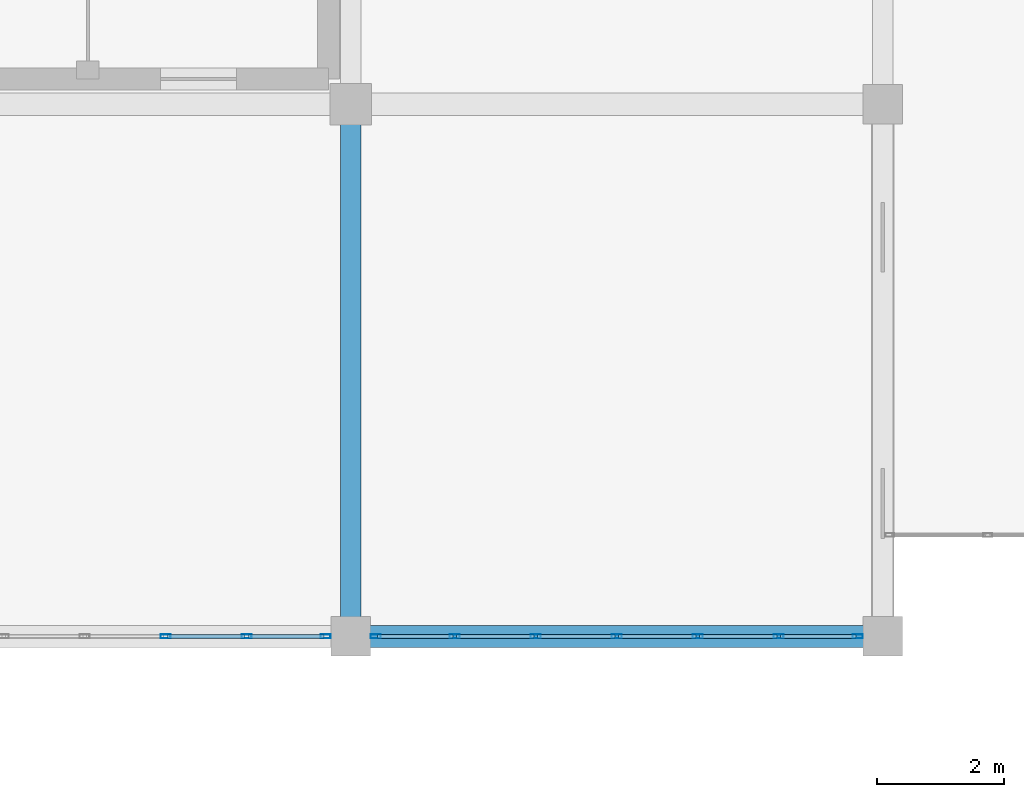
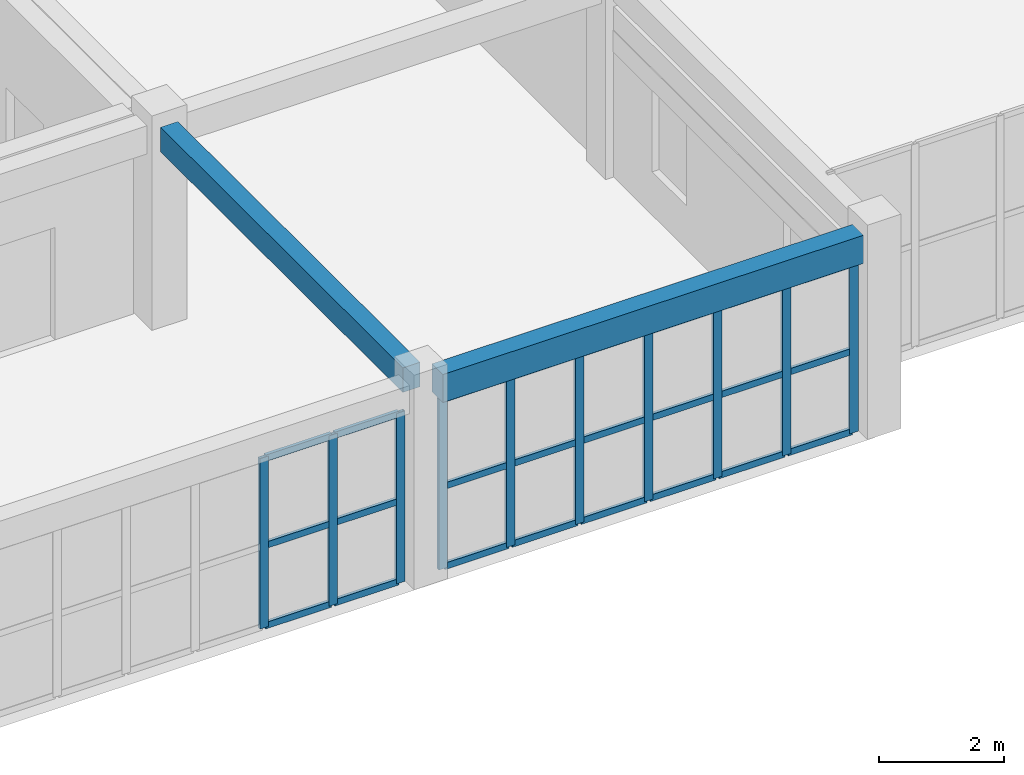
# One storey, part 25 of 81: 34 members, 2 beams, 2 elements without a shape of their own.
"""IFC4 building model written with IfcOpenShell, lengths in metres."""

from ifc_helpers import new_model, si_unit, direction, frame, origin, origin_2d, place, context, subcontext, project, spatial, rectangle, hollow_rectangle, extrude, material, layer, layer_set, material_profile, profile_set, type_object, element, aggregate, save


model = new_model("IFC4")

# Units and contexts
model_context = context("Model", 3, precision=1e-05, world=origin(), true_north=direction((0.0, 1.0)))
body_context = subcontext(model_context, "Body", "Model", "MODEL_VIEW")
ifc_project = project(units=[si_unit("LENGTHUNIT", "METRE"), si_unit("AREAUNIT", "SQUARE_METRE"), si_unit("VOLUMEUNIT", "CUBIC_METRE"), si_unit("PLANEANGLEUNIT", "RADIAN"), si_unit("MASSUNIT", "GRAM", prefix="KILO")], contexts=[model_context])

# Site, building, storey
site_placement = place(None, origin())
site = spatial("IfcSite", under=ifc_project, at=site_placement, CompositionType="ELEMENT")
building_placement = place(site_placement, origin())
building = spatial("IfcBuilding", under=site, at=building_placement, Name="Trelvath General Hospital", CompositionType="ELEMENT")
storey_placement = place(building_placement, frame((0.0, 0.0, 24.60009765625)))
storey = spatial("IfcBuildingStorey", under=building, at=storey_placement, Name="L06", CompositionType="ELEMENT", Elevation=24.60009765625)

# Beams
ifc_material_1 = material(Name="Concrete C35/45", Category="concrete")
ifc_material_profile_1 = material_profile(ifc_material_1, rectangle(XDim=0.320068359375, YDim=0.47998046875, at=origin_2d()), Name="RCB320x480")
ifc_profile_set_1 = profile_set([ifc_material_profile_1], Name="Concrete C35/45")
beam_type_1 = type_object("IfcBeamType", Name="Beam RC320x480", PredefinedType="BEAM", material=ifc_profile_set_1)
beam_1_placement = place(storey_placement, frame((84.0, 42.304931640625, 3.679931640625), z_axis=(0.0, 1.0, 0.0), x_axis=(-1.0, 0.0, 0.0)))
element("IfcBeam", 1, at=beam_1_placement, inside=storey, type_object=beam_type_1, Name="Grid Beam BY-610F", PredefinedType="BEAM", context=body_context, shape_type="SweptSolid", body=[
    extrude(rectangle(XDim=0.320068359375, YDim=0.47998046875, at=origin_2d()), origin(), (0.0, 0.0, 1.0), 7.775146484375),
])
ifc_material_2 = material(Name="Concrete C35/45", Category="concrete")
ifc_material_profile_2 = material_profile(ifc_material_2, rectangle(XDim=0.35009765625, YDim=0.550048828125, at=origin_2d()), Name="RCB350x550")
ifc_profile_set_2 = profile_set([ifc_material_profile_2], Name="Concrete C35/45")
beam_type_2 = type_object("IfcBeamType", Name="Beam RC350x550", PredefinedType="BEAM", material=ifc_profile_set_2)
beam_2_placement = place(storey_placement, frame((84.304931640625, 42.0, 3.64501953125), z_axis=(1.0, 0.0, 0.0), x_axis=(0.0, 1.0, 0.0)))
element("IfcBeam", 2, at=beam_2_placement, inside=storey, type_object=beam_type_2, Name="Grid Beam BX-610F", PredefinedType="BEAM", context=body_context, shape_type="SweptSolid", body=[
    extrude(rectangle(XDim=0.35009765625, YDim=0.550048828125, at=origin_2d()), origin(), (0.0, 0.0, 1.0), 7.7900390625),
])

# Curtain wall, members
ifc_material_3 = material(Name="Anodised aluminium and low-E glass", Category="aluminium")
ifc_layer = layer(ifc_material_3, 0.14990234375)
ifc_layer_set = layer_set([ifc_layer], Name="Anodised aluminium and low-E glass")
curtain_wall_type = type_object("IfcCurtainWallType", Name="CW Facade 767 334 15", PredefinedType="USERDEFINED", material=ifc_layer_set)
curtain_wall_1_placement = place(storey_placement, origin())
curtain_wall_1 = element("IfcCurtainWall", 3, at=curtain_wall_1_placement, inside=storey, type_object=curtain_wall_type, Name="Facade Curtain Wall CW-078", ObjectType="Unitised Glazed Curtain Wall", PredefinedType="USERDEFINED")
ifc_material_4 = material(Name="Anodised aluminium", Category="aluminium")
ifc_material_profile_3 = material_profile(ifc_material_4, hollow_rectangle(XDim=0.06005859375, YDim=0.159912109375, WallThickness=0.00390625, at=origin_2d()), Name="RHS60x160x4")
ifc_profile_set_3 = profile_set([ifc_material_profile_3], Name="Anodised aluminium")
member_type_1 = type_object("IfcMemberType", Name="CurtainMullion 60x160", PredefinedType="MULLION", material=ifc_profile_set_3)
member_1_placement = place(storey_placement, frame((83.60498046875, 42.0, 0.0), z_axis=(0.0, 0.0, 1.0), x_axis=(0.0, -1.0, 0.0)))
member_1 = element("IfcMember", 4, at=member_1_placement, type_object=member_type_1, Name="CW-078 mullion 1", PredefinedType="MULLION", context=body_context, shape_type="SweptSolid", body=[
    extrude(hollow_rectangle(XDim=0.06005859375, YDim=0.159912109375, WallThickness=0.00390625, at=origin_2d()), origin(), (0.0, 0.0, 1.0), 3.33984375),
])
member_2_placement = place(storey_placement, frame((82.356689453125, 42.0, 0.0), z_axis=(0.0, 0.0, 1.0), x_axis=(0.0, -1.0, 0.0)))
member_2 = element("IfcMember", 5, at=member_2_placement, type_object=member_type_1, Name="CW-078 mullion 2", PredefinedType="MULLION", context=body_context, shape_type="SweptSolid", body=[
    extrude(hollow_rectangle(XDim=0.06005859375, YDim=0.159912109375, WallThickness=0.00390625, at=origin_2d()), origin(), (0.0, 0.0, 1.0), 3.33984375),
])
member_3_placement = place(storey_placement, frame((81.078369140625, 42.0, 0.0), z_axis=(0.0, 0.0, 1.0), x_axis=(0.0, -1.0, 0.0)))
member_3 = element("IfcMember", 6, at=member_3_placement, type_object=member_type_1, Name="CW-078 mullion 3", PredefinedType="MULLION", context=body_context, shape_type="SweptSolid", body=[
    extrude(hollow_rectangle(XDim=0.06005859375, YDim=0.159912109375, WallThickness=0.00390625, at=origin_2d()), origin(), (0.0, 0.0, 1.0), 3.33984375),
])

curtain_wall_2_placement = place(storey_placement, origin())
curtain_wall_2 = element("IfcCurtainWall", 7, at=curtain_wall_2_placement, inside=storey, type_object=curtain_wall_type, Name="Facade Curtain Wall CW-080", ObjectType="Unitised Glazed Curtain Wall", PredefinedType="USERDEFINED")
member_4_placement = place(storey_placement, frame((92.0048828125, 42.0, 0.0), z_axis=(0.0, 0.0, 1.0), x_axis=(0.0, -1.0, 0.0)))
member_4 = element("IfcMember", 8, at=member_4_placement, type_object=member_type_1, Name="CW-080 mullion 1", PredefinedType="MULLION", context=body_context, shape_type="SweptSolid", body=[
    extrude(hollow_rectangle(XDim=0.06005859375, YDim=0.159912109375, WallThickness=0.00390625, at=origin_2d()), origin(), (0.0, 0.0, 1.0), 3.33984375),
])
member_5_placement = place(storey_placement, frame((90.756591796875, 42.0, 0.0), z_axis=(0.0, 0.0, 1.0), x_axis=(0.0, -1.0, 0.0)))
member_5 = element("IfcMember", 9, at=member_5_placement, type_object=member_type_1, Name="CW-080 mullion 2", PredefinedType="MULLION", context=body_context, shape_type="SweptSolid", body=[
    extrude(hollow_rectangle(XDim=0.06005859375, YDim=0.159912109375, WallThickness=0.00390625, at=origin_2d()), origin(), (0.0, 0.0, 1.0), 3.33984375),
])
member_6_placement = place(storey_placement, frame((89.478271484375, 42.0, 0.0), z_axis=(0.0, 0.0, 1.0), x_axis=(0.0, -1.0, 0.0)))
member_6 = element("IfcMember", 10, at=member_6_placement, type_object=member_type_1, Name="CW-080 mullion 3", PredefinedType="MULLION", context=body_context, shape_type="SweptSolid", body=[
    extrude(hollow_rectangle(XDim=0.06005859375, YDim=0.159912109375, WallThickness=0.00390625, at=origin_2d()), origin(), (0.0, 0.0, 1.0), 3.33984375),
])
member_7_placement = place(storey_placement, frame((88.199951171875, 42.0, 0.0), z_axis=(0.0, 0.0, 1.0), x_axis=(0.0, -1.0, 0.0)))
member_7 = element("IfcMember", 11, at=member_7_placement, type_object=member_type_1, Name="CW-080 mullion 4", PredefinedType="MULLION", context=body_context, shape_type="SweptSolid", body=[
    extrude(hollow_rectangle(XDim=0.06005859375, YDim=0.159912109375, WallThickness=0.00390625, at=origin_2d()), origin(), (0.0, 0.0, 1.0), 3.33984375),
])
member_8_placement = place(storey_placement, frame((86.921630859375, 42.0, 0.0), z_axis=(0.0, 0.0, 1.0), x_axis=(0.0, -1.0, 0.0)))
member_8 = element("IfcMember", 12, at=member_8_placement, type_object=member_type_1, Name="CW-080 mullion 5", PredefinedType="MULLION", context=body_context, shape_type="SweptSolid", body=[
    extrude(hollow_rectangle(XDim=0.06005859375, YDim=0.159912109375, WallThickness=0.00390625, at=origin_2d()), origin(), (0.0, 0.0, 1.0), 3.33984375),
])
member_9_placement = place(storey_placement, frame((85.643310546875, 42.0, 0.0), z_axis=(0.0, 0.0, 1.0), x_axis=(0.0, -1.0, 0.0)))
member_9 = element("IfcMember", 13, at=member_9_placement, type_object=member_type_1, Name="CW-080 mullion 6", PredefinedType="MULLION", context=body_context, shape_type="SweptSolid", body=[
    extrude(hollow_rectangle(XDim=0.06005859375, YDim=0.159912109375, WallThickness=0.00390625, at=origin_2d()), origin(), (0.0, 0.0, 1.0), 3.33984375),
])
member_10_placement = place(storey_placement, frame((84.39501953125, 42.0, 0.0), z_axis=(0.0, 0.0, 1.0), x_axis=(0.0, -1.0, 0.0)))
member_10 = element("IfcMember", 14, at=member_10_placement, type_object=member_type_1, Name="CW-080 mullion 7", PredefinedType="MULLION", context=body_context, shape_type="SweptSolid", body=[
    extrude(hollow_rectangle(XDim=0.06005859375, YDim=0.159912109375, WallThickness=0.00390625, at=origin_2d()), origin(), (0.0, 0.0, 1.0), 3.33984375),
])

# Member
ifc_material_5 = material(Name="Anodised aluminium", Category="aluminium")
ifc_material_profile_4 = material_profile(ifc_material_5, hollow_rectangle(XDim=0.06005859375, YDim=0.125, WallThickness=0.00390625, at=origin_2d()), Name="RHS60x125x4")
ifc_profile_set_4 = profile_set([ifc_material_profile_4], Name="Anodised aluminium")
member_type_2 = type_object("IfcMemberType", Name="CurtainTransom 60x125", PredefinedType="USERDEFINED", material=ifc_profile_set_4)
member_11_placement = place(storey_placement, frame((83.574951171875, 42.0, 0.02978515625), z_axis=(-1.0, 0.0, 0.0), x_axis=(0.0, -1.0, 0.0)))
member_11 = element("IfcMember", 15, at=member_11_placement, type_object=member_type_2, Name="CW-078 transom 1.1", ObjectType="TRANSOM", PredefinedType="USERDEFINED", context=body_context, shape_type="SweptSolid", body=[
    extrude(hollow_rectangle(XDim=0.06005859375, YDim=0.125, WallThickness=0.00390625, at=origin_2d()), origin(), (0.0, 0.0, 1.0), 1.188232421875),
])

member_12_placement = place(storey_placement, frame((83.574951171875, 42.0, 1.602783203125), z_axis=(-1.0, 0.0, 0.0), x_axis=(0.0, -1.0, 0.0)))
member_12 = element("IfcMember", 16, at=member_12_placement, type_object=member_type_2, Name="CW-078 transom 1.2", ObjectType="TRANSOM", PredefinedType="USERDEFINED", context=body_context, shape_type="SweptSolid", body=[
    extrude(hollow_rectangle(XDim=0.06005859375, YDim=0.125, WallThickness=0.00390625, at=origin_2d()), origin(), (0.0, 0.0, 1.0), 1.188232421875),
])

member_13_placement = place(storey_placement, frame((83.574951171875, 42.0, 3.309814453125), z_axis=(-1.0, 0.0, 0.0), x_axis=(0.0, -1.0, 0.0)))
member_13 = element("IfcMember", 17, at=member_13_placement, type_object=member_type_2, Name="CW-078 transom 1.3", ObjectType="TRANSOM", PredefinedType="USERDEFINED", context=body_context, shape_type="SweptSolid", body=[
    extrude(hollow_rectangle(XDim=0.06005859375, YDim=0.125, WallThickness=0.00390625, at=origin_2d()), origin(), (0.0, 0.0, 1.0), 1.188232421875),
])

member_14_placement = place(storey_placement, frame((82.32666015625, 42.0, 0.02978515625), z_axis=(-1.0, 0.0, 0.0), x_axis=(0.0, -1.0, 0.0)))
member_14 = element("IfcMember", 18, at=member_14_placement, type_object=member_type_2, Name="CW-078 transom 2.1", ObjectType="TRANSOM", PredefinedType="USERDEFINED", context=body_context, shape_type="SweptSolid", body=[
    extrude(hollow_rectangle(XDim=0.06005859375, YDim=0.125, WallThickness=0.00390625, at=origin_2d()), origin(), (0.0, 0.0, 1.0), 1.21826171875),
])

member_15_placement = place(storey_placement, frame((82.32666015625, 42.0, 1.602783203125), z_axis=(-1.0, 0.0, 0.0), x_axis=(0.0, -1.0, 0.0)))
member_15 = element("IfcMember", 19, at=member_15_placement, type_object=member_type_2, Name="CW-078 transom 2.2", ObjectType="TRANSOM", PredefinedType="USERDEFINED", context=body_context, shape_type="SweptSolid", body=[
    extrude(hollow_rectangle(XDim=0.06005859375, YDim=0.125, WallThickness=0.00390625, at=origin_2d()), origin(), (0.0, 0.0, 1.0), 1.21826171875),
])

member_16_placement = place(storey_placement, frame((82.32666015625, 42.0, 3.309814453125), z_axis=(-1.0, 0.0, 0.0), x_axis=(0.0, -1.0, 0.0)))
member_16 = element("IfcMember", 20, at=member_16_placement, type_object=member_type_2, Name="CW-078 transom 2.3", ObjectType="TRANSOM", PredefinedType="USERDEFINED", context=body_context, shape_type="SweptSolid", body=[
    extrude(hollow_rectangle(XDim=0.06005859375, YDim=0.125, WallThickness=0.00390625, at=origin_2d()), origin(), (0.0, 0.0, 1.0), 1.21826171875),
])

aggregate(curtain_wall_1, [member_1, member_2, member_3, member_11, member_12, member_13, member_14, member_15, member_16])

member_17_placement = place(storey_placement, frame((91.97509765625, 42.0, 0.02978515625), z_axis=(-1.0, 0.0, 0.0), x_axis=(0.0, -1.0, 0.0)))
member_17 = element("IfcMember", 21, at=member_17_placement, type_object=member_type_2, Name="CW-080 transom 1.1", ObjectType="TRANSOM", PredefinedType="USERDEFINED", context=body_context, shape_type="SweptSolid", body=[
    extrude(hollow_rectangle(XDim=0.06005859375, YDim=0.125, WallThickness=0.00390625, at=origin_2d()), origin(), (0.0, 0.0, 1.0), 1.1884765625),
])

member_18_placement = place(storey_placement, frame((91.97509765625, 42.0, 1.602783203125), z_axis=(-1.0, 0.0, 0.0), x_axis=(0.0, -1.0, 0.0)))
member_18 = element("IfcMember", 22, at=member_18_placement, type_object=member_type_2, Name="CW-080 transom 1.2", ObjectType="TRANSOM", PredefinedType="USERDEFINED", context=body_context, shape_type="SweptSolid", body=[
    extrude(hollow_rectangle(XDim=0.06005859375, YDim=0.125, WallThickness=0.00390625, at=origin_2d()), origin(), (0.0, 0.0, 1.0), 1.1884765625),
])

member_19_placement = place(storey_placement, frame((91.97509765625, 42.0, 3.309814453125), z_axis=(-1.0, 0.0, 0.0), x_axis=(0.0, -1.0, 0.0)))
member_19 = element("IfcMember", 23, at=member_19_placement, type_object=member_type_2, Name="CW-080 transom 1.3", ObjectType="TRANSOM", PredefinedType="USERDEFINED", context=body_context, shape_type="SweptSolid", body=[
    extrude(hollow_rectangle(XDim=0.06005859375, YDim=0.125, WallThickness=0.00390625, at=origin_2d()), origin(), (0.0, 0.0, 1.0), 1.1884765625),
])

member_20_placement = place(storey_placement, frame((90.7265625, 42.0, 0.02978515625), z_axis=(-1.0, 0.0, 0.0), x_axis=(0.0, -1.0, 0.0)))
member_20 = element("IfcMember", 24, at=member_20_placement, type_object=member_type_2, Name="CW-080 transom 2.1", ObjectType="TRANSOM", PredefinedType="USERDEFINED", context=body_context, shape_type="SweptSolid", body=[
    extrude(hollow_rectangle(XDim=0.06005859375, YDim=0.125, WallThickness=0.00390625, at=origin_2d()), origin(), (0.0, 0.0, 1.0), 1.21826171875),
])

member_21_placement = place(storey_placement, frame((90.7265625, 42.0, 1.602783203125), z_axis=(-1.0, 0.0, 0.0), x_axis=(0.0, -1.0, 0.0)))
member_21 = element("IfcMember", 25, at=member_21_placement, type_object=member_type_2, Name="CW-080 transom 2.2", ObjectType="TRANSOM", PredefinedType="USERDEFINED", context=body_context, shape_type="SweptSolid", body=[
    extrude(hollow_rectangle(XDim=0.06005859375, YDim=0.125, WallThickness=0.00390625, at=origin_2d()), origin(), (0.0, 0.0, 1.0), 1.21826171875),
])

member_22_placement = place(storey_placement, frame((90.7265625, 42.0, 3.309814453125), z_axis=(-1.0, 0.0, 0.0), x_axis=(0.0, -1.0, 0.0)))
member_22 = element("IfcMember", 26, at=member_22_placement, type_object=member_type_2, Name="CW-080 transom 2.3", ObjectType="TRANSOM", PredefinedType="USERDEFINED", context=body_context, shape_type="SweptSolid", body=[
    extrude(hollow_rectangle(XDim=0.06005859375, YDim=0.125, WallThickness=0.00390625, at=origin_2d()), origin(), (0.0, 0.0, 1.0), 1.21826171875),
])

member_23_placement = place(storey_placement, frame((89.4482421875, 42.0, 0.02978515625), z_axis=(-1.0, 0.0, 0.0), x_axis=(0.0, -1.0, 0.0)))
member_23 = element("IfcMember", 27, at=member_23_placement, type_object=member_type_2, Name="CW-080 transom 3.1", ObjectType="TRANSOM", PredefinedType="USERDEFINED", context=body_context, shape_type="SweptSolid", body=[
    extrude(hollow_rectangle(XDim=0.06005859375, YDim=0.125, WallThickness=0.00390625, at=origin_2d()), origin(), (0.0, 0.0, 1.0), 1.21826171875),
])

member_24_placement = place(storey_placement, frame((89.4482421875, 42.0, 1.602783203125), z_axis=(-1.0, 0.0, 0.0), x_axis=(0.0, -1.0, 0.0)))
member_24 = element("IfcMember", 28, at=member_24_placement, type_object=member_type_2, Name="CW-080 transom 3.2", ObjectType="TRANSOM", PredefinedType="USERDEFINED", context=body_context, shape_type="SweptSolid", body=[
    extrude(hollow_rectangle(XDim=0.06005859375, YDim=0.125, WallThickness=0.00390625, at=origin_2d()), origin(), (0.0, 0.0, 1.0), 1.21826171875),
])

member_25_placement = place(storey_placement, frame((89.4482421875, 42.0, 3.309814453125), z_axis=(-1.0, 0.0, 0.0), x_axis=(0.0, -1.0, 0.0)))
member_25 = element("IfcMember", 29, at=member_25_placement, type_object=member_type_2, Name="CW-080 transom 3.3", ObjectType="TRANSOM", PredefinedType="USERDEFINED", context=body_context, shape_type="SweptSolid", body=[
    extrude(hollow_rectangle(XDim=0.06005859375, YDim=0.125, WallThickness=0.00390625, at=origin_2d()), origin(), (0.0, 0.0, 1.0), 1.21826171875),
])

member_26_placement = place(storey_placement, frame((88.169921875, 42.0, 0.02978515625), z_axis=(-1.0, 0.0, 0.0), x_axis=(0.0, -1.0, 0.0)))
member_26 = element("IfcMember", 30, at=member_26_placement, type_object=member_type_2, Name="CW-080 transom 4.1", ObjectType="TRANSOM", PredefinedType="USERDEFINED", context=body_context, shape_type="SweptSolid", body=[
    extrude(hollow_rectangle(XDim=0.06005859375, YDim=0.125, WallThickness=0.00390625, at=origin_2d()), origin(), (0.0, 0.0, 1.0), 1.21826171875),
])

member_27_placement = place(storey_placement, frame((88.169921875, 42.0, 1.602783203125), z_axis=(-1.0, 0.0, 0.0), x_axis=(0.0, -1.0, 0.0)))
member_27 = element("IfcMember", 31, at=member_27_placement, type_object=member_type_2, Name="CW-080 transom 4.2", ObjectType="TRANSOM", PredefinedType="USERDEFINED", context=body_context, shape_type="SweptSolid", body=[
    extrude(hollow_rectangle(XDim=0.06005859375, YDim=0.125, WallThickness=0.00390625, at=origin_2d()), origin(), (0.0, 0.0, 1.0), 1.21826171875),
])

member_28_placement = place(storey_placement, frame((88.169921875, 42.0, 3.309814453125), z_axis=(-1.0, 0.0, 0.0), x_axis=(0.0, -1.0, 0.0)))
member_28 = element("IfcMember", 32, at=member_28_placement, type_object=member_type_2, Name="CW-080 transom 4.3", ObjectType="TRANSOM", PredefinedType="USERDEFINED", context=body_context, shape_type="SweptSolid", body=[
    extrude(hollow_rectangle(XDim=0.06005859375, YDim=0.125, WallThickness=0.00390625, at=origin_2d()), origin(), (0.0, 0.0, 1.0), 1.21826171875),
])

member_29_placement = place(storey_placement, frame((86.8916015625, 42.0, 0.02978515625), z_axis=(-1.0, 0.0, 0.0), x_axis=(0.0, -1.0, 0.0)))
member_29 = element("IfcMember", 33, at=member_29_placement, type_object=member_type_2, Name="CW-080 transom 5.1", ObjectType="TRANSOM", PredefinedType="USERDEFINED", context=body_context, shape_type="SweptSolid", body=[
    extrude(hollow_rectangle(XDim=0.06005859375, YDim=0.125, WallThickness=0.00390625, at=origin_2d()), origin(), (0.0, 0.0, 1.0), 1.21826171875),
])

member_30_placement = place(storey_placement, frame((86.8916015625, 42.0, 1.602783203125), z_axis=(-1.0, 0.0, 0.0), x_axis=(0.0, -1.0, 0.0)))
member_30 = element("IfcMember", 34, at=member_30_placement, type_object=member_type_2, Name="CW-080 transom 5.2", ObjectType="TRANSOM", PredefinedType="USERDEFINED", context=body_context, shape_type="SweptSolid", body=[
    extrude(hollow_rectangle(XDim=0.06005859375, YDim=0.125, WallThickness=0.00390625, at=origin_2d()), origin(), (0.0, 0.0, 1.0), 1.21826171875),
])

member_31_placement = place(storey_placement, frame((86.8916015625, 42.0, 3.309814453125), z_axis=(-1.0, 0.0, 0.0), x_axis=(0.0, -1.0, 0.0)))
member_31 = element("IfcMember", 35, at=member_31_placement, type_object=member_type_2, Name="CW-080 transom 5.3", ObjectType="TRANSOM", PredefinedType="USERDEFINED", context=body_context, shape_type="SweptSolid", body=[
    extrude(hollow_rectangle(XDim=0.06005859375, YDim=0.125, WallThickness=0.00390625, at=origin_2d()), origin(), (0.0, 0.0, 1.0), 1.21826171875),
])

member_32_placement = place(storey_placement, frame((85.61328125, 42.0, 0.02978515625), z_axis=(-1.0, 0.0, 0.0), x_axis=(0.0, -1.0, 0.0)))
member_32 = element("IfcMember", 36, at=member_32_placement, type_object=member_type_2, Name="CW-080 transom 6.1", ObjectType="TRANSOM", PredefinedType="USERDEFINED", context=body_context, shape_type="SweptSolid", body=[
    extrude(hollow_rectangle(XDim=0.06005859375, YDim=0.125, WallThickness=0.00390625, at=origin_2d()), origin(), (0.0, 0.0, 1.0), 1.188232421875),
])

member_33_placement = place(storey_placement, frame((85.61328125, 42.0, 1.602783203125), z_axis=(-1.0, 0.0, 0.0), x_axis=(0.0, -1.0, 0.0)))
member_33 = element("IfcMember", 37, at=member_33_placement, type_object=member_type_2, Name="CW-080 transom 6.2", ObjectType="TRANSOM", PredefinedType="USERDEFINED", context=body_context, shape_type="SweptSolid", body=[
    extrude(hollow_rectangle(XDim=0.06005859375, YDim=0.125, WallThickness=0.00390625, at=origin_2d()), origin(), (0.0, 0.0, 1.0), 1.188232421875),
])

member_34_placement = place(storey_placement, frame((85.61328125, 42.0, 3.309814453125), z_axis=(-1.0, 0.0, 0.0), x_axis=(0.0, -1.0, 0.0)))
member_34 = element("IfcMember", 38, at=member_34_placement, type_object=member_type_2, Name="CW-080 transom 6.3", ObjectType="TRANSOM", PredefinedType="USERDEFINED", context=body_context, shape_type="SweptSolid", body=[
    extrude(hollow_rectangle(XDim=0.06005859375, YDim=0.125, WallThickness=0.00390625, at=origin_2d()), origin(), (0.0, 0.0, 1.0), 1.188232421875),
])

aggregate(curtain_wall_2, [member_4, member_5, member_6, member_7, member_8, member_9, member_10, member_17, member_18, member_19, member_20, member_21, member_22, member_23, member_24, member_25, member_26, member_27, member_28, member_29, member_30, member_31, member_32, member_33, member_34])

save(model, "model.ifc")
